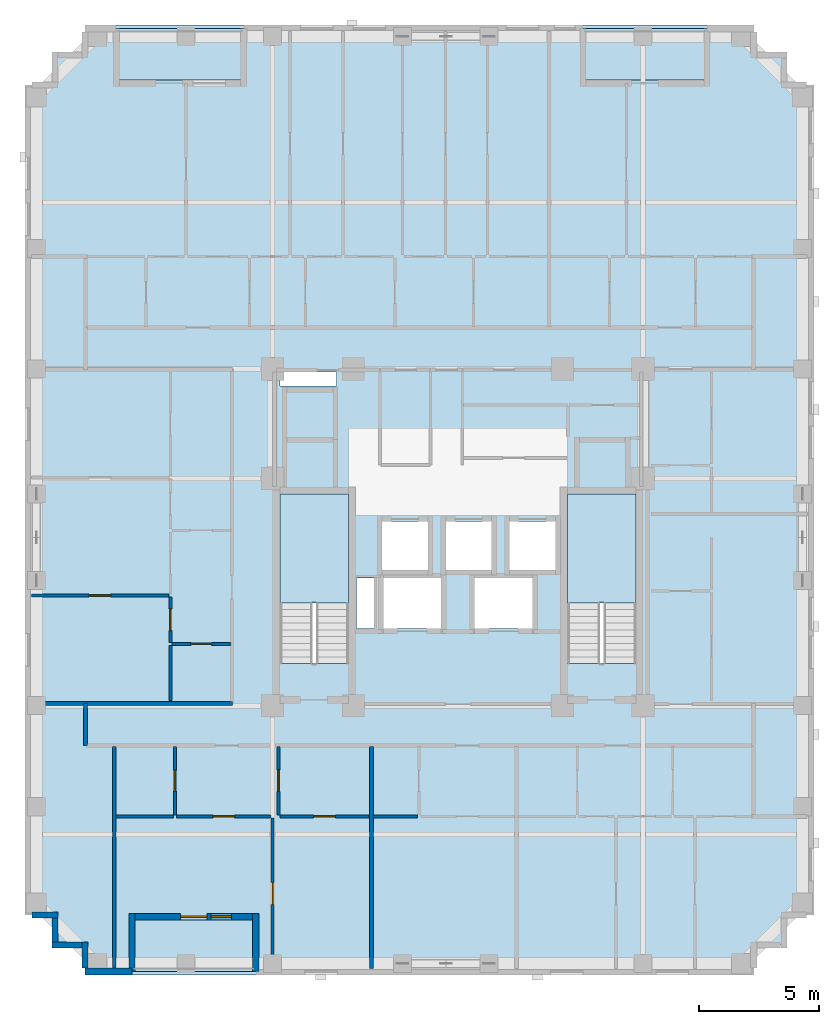
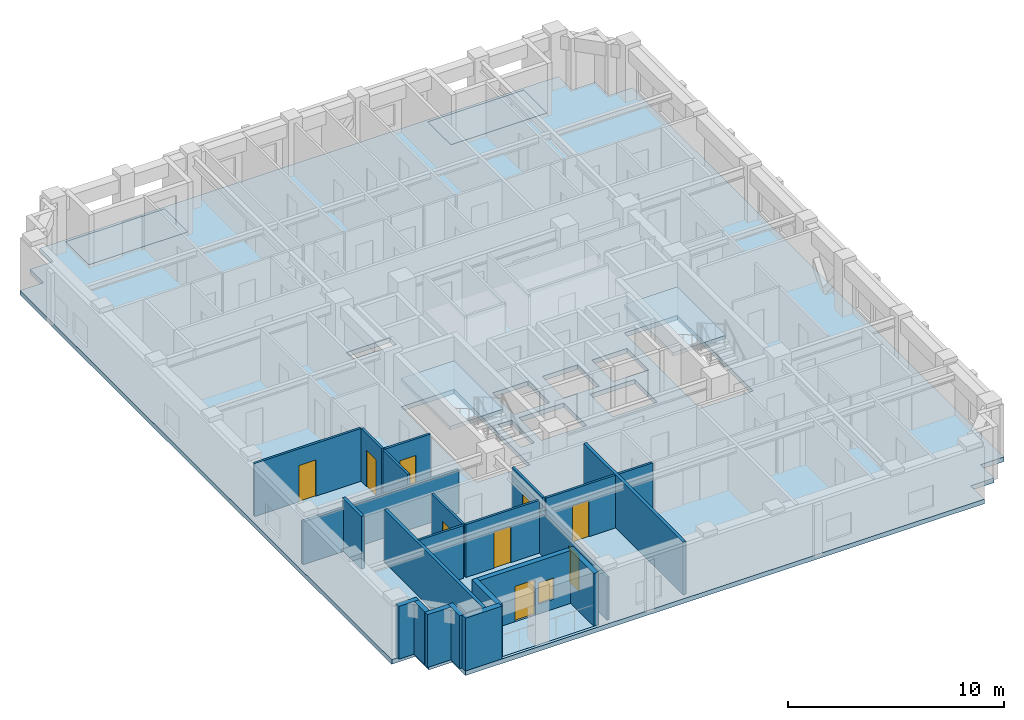
# One storey, part 2 of 11: 23 walls, 9 doors, 6 slabs, 1 window, 10 openings, 2 elements without a shape of their own.
"""IFC4 building model written with IfcOpenShell, lengths in metres."""

from ifc_helpers import new_model, si_unit, derived_unit, direction, frame, frame_2d, origin, place, context, subcontext, project, spatial, polyline, rectangle, outline, extrude, material, layer, layer_set, type_object, element, fill, aggregate, save


model = new_model("IFC4")

# Units and contexts
model_context = context("Model", 3, precision=1e-05, world=origin(), true_north=direction((0.0, 1.0)))
body_context = subcontext(model_context, "Body", "Model", "MODEL_VIEW")
ifc_project = project(units=[si_unit("LENGTHUNIT", "METRE"), si_unit("AREAUNIT", "SQUARE_METRE"), si_unit("VOLUMEUNIT", "CUBIC_METRE"), si_unit("PLANEANGLEUNIT", "RADIAN"), si_unit("MASSUNIT", "GRAM", prefix="KILO"), derived_unit("THERMALTRANSMITTANCEUNIT", [(si_unit("MASSUNIT", "GRAM", prefix="KILO"), 1), (si_unit("TIMEUNIT", "SECOND"), -3), (si_unit("THERMODYNAMICTEMPERATUREUNIT", "KELVIN"), -1)])], contexts=[model_context])

# Site, building, storey
site_placement = place(None, origin())
site = spatial("IfcSite", under=ifc_project, at=site_placement, CompositionType="ELEMENT")
building_placement = place(site_placement, origin())
building = spatial("IfcBuilding", under=site, at=building_placement, Name="Korrvale Station Residences", CompositionType="ELEMENT")
storey_placement = place(building_placement, frame((0.0, 0.0, 137.39990234375)))
storey = spatial("IfcBuildingStorey", under=building, at=storey_placement, Name="L39", CompositionType="ELEMENT", Elevation=137.39990234375)

# Slabs
ifc_material_1 = material(Name="Concrete C50/60", Category="concrete")
ifc_layer_1 = layer(ifc_material_1, 0.219970703125, Name="Concrete C50/60")
ifc_layer_set_1 = layer_set([ifc_layer_1], Name="Concrete C50/60")
slab_type_1 = type_object("IfcSlabType", Name="SLB-BAL-220", PredefinedType="FLOOR", material=ifc_layer_set_1)
slab_1_placement = place(storey_placement, frame((0.0, 0.0, -0.219970703125)))
element("IfcSlab", 1, at=slab_1_placement, inside=storey, type_object=slab_type_1, Name="L39 Recessed Loggia Balcony Slab BAL-L39-S1", PredefinedType="FLOOR", context=body_context, shape_type="SweptSolid", body=[
    extrude(outline(polyline([(11.949951171875, 3.949951171875), (17.10009765625, 3.949951171875), (17.10009765625, 6.10009765625), (11.949951171875, 6.10009765625), (11.949951171875, 3.949951171875)])), origin(), (0.0, 0.0, 1.0), 0.219970703125),
])
slab_2_placement = place(storey_placement, frame((0.0, 0.0, -0.219970703125)))
element("IfcSlab", 2, at=slab_2_placement, inside=storey, type_object=slab_type_1, Name="L39 Recessed Loggia Balcony Slab BAL-L39-N1", PredefinedType="FLOOR", context=body_context, shape_type="SweptSolid", body=[
    extrude(outline(polyline([(30.699951171875, 41.0), (35.85009765625, 41.0), (35.85009765625, 43.14990234375), (30.699951171875, 43.14990234375), (30.699951171875, 41.0)])), origin(), (0.0, 0.0, 1.0), 0.219970703125),
])
slab_3_placement = place(storey_placement, frame((0.0, 0.0, -0.219970703125)))
element("IfcSlab", 3, at=slab_3_placement, inside=storey, type_object=slab_type_1, Name="L39 Recessed Loggia Balcony Slab BAL-L39-N2", PredefinedType="FLOOR", context=body_context, shape_type="SweptSolid", body=[
    extrude(outline(polyline([(11.300048828125, 41.0), (16.60009765625, 41.0), (16.60009765625, 43.14990234375), (11.300048828125, 43.14990234375), (11.300048828125, 41.0)])), origin(), (0.0, 0.0, 1.0), 0.219970703125),
])
ifc_layer_2 = layer(ifc_material_1, 0.260009765625, Name="Concrete C50/60")
ifc_layer_set_2 = layer_set([ifc_layer_2], Name="Concrete C50/60")
slab_type_2 = type_object("IfcSlabType", Name="SLB-FLR-260", PredefinedType="FLOOR", material=ifc_layer_set_2)
slab_4_placement = place(storey_placement, frame((0.0, 0.0, -0.260009765625)))
element("IfcSlab", 4, at=slab_4_placement, inside=storey, type_object=slab_type_2, Name="L39 Suspended Structural Floor Slab", PredefinedType="FLOOR", context=body_context, shape_type="SweptSolid", body=[
    extrude(outline(polyline([(10.0, 3.800048828125), (37.800048828125, 3.800048828125), (37.800048828125, 5.050048828125), (39.050048828125, 5.050048828125), (39.050048828125, 6.300048828125), (40.300048828125, 6.300048828125), (40.300048828125, 40.800048828125), (39.050048828125, 40.800048828125), (39.050048828125, 42.050048828125), (37.800048828125, 42.050048828125), (37.800048828125, 43.300048828125), (10.0, 43.300048828125), (10.0, 42.050048828125), (8.75, 42.050048828125), (8.75, 40.800048828125), (7.5, 40.800048828125), (7.5, 6.300048828125), (8.75, 6.300048828125), (8.75, 5.050048828125), (10.0, 5.050048828125), (10.0, 3.800048828125)]), holes=[polyline([(20.949951171875, 16.751953125), (20.949951171875, 23.800048828125), (18.10009765625, 23.800048828125), (18.10009765625, 16.751953125), (20.949951171875, 16.751953125)]), polyline([(32.89990234375, 16.751953125), (32.89990234375, 23.800048828125), (30.050048828125, 23.800048828125), (30.050048828125, 16.751953125), (32.89990234375, 16.751953125)]), polyline([(22.35009765625, 20.64990234375), (24.25, 20.64990234375), (24.25, 22.64990234375), (22.35009765625, 22.64990234375), (22.35009765625, 20.64990234375)]), polyline([(25.0, 20.64990234375), (26.89990234375, 20.64990234375), (26.89990234375, 22.64990234375), (25.0, 22.64990234375), (25.0, 20.64990234375)]), polyline([(27.64990234375, 20.64990234375), (29.550048828125, 20.64990234375), (29.550048828125, 22.64990234375), (27.64990234375, 22.64990234375), (27.64990234375, 20.64990234375)]), polyline([(22.39990234375, 18.199951171875), (24.800048828125, 18.199951171875), (24.800048828125, 20.300048828125), (22.39990234375, 20.300048828125), (22.39990234375, 18.199951171875)]), polyline([(26.199951171875, 18.199951171875), (28.60009765625, 18.199951171875), (28.60009765625, 20.300048828125), (26.199951171875, 20.300048828125), (26.199951171875, 18.199951171875)]), polyline([(18.10009765625, 28.280029296875), (20.449951171875, 28.280029296875), (20.449951171875, 28.8798828125), (18.10009765625, 28.8798828125), (18.10009765625, 28.280029296875)]), polyline([(21.280029296875, 18.199951171875), (22.02001953125, 18.199951171875), (22.02001953125, 20.300048828125), (21.280029296875, 20.300048828125), (21.280029296875, 18.199951171875)]), polyline([(11.949951171875, 3.949951171875), (17.10009765625, 3.949951171875), (17.10009765625, 6.10009765625), (11.949951171875, 6.10009765625), (11.949951171875, 3.949951171875)]), polyline([(30.699951171875, 41.0), (35.85009765625, 41.0), (35.85009765625, 43.14990234375), (30.699951171875, 43.14990234375), (30.699951171875, 41.0)]), polyline([(11.300048828125, 41.0), (16.60009765625, 41.0), (16.60009765625, 43.14990234375), (11.300048828125, 43.14990234375), (11.300048828125, 41.0)])]), origin(), (0.0, 0.0, 1.0), 0.260009765625),
])

# Stair, slab
stair_type = type_object("IfcStairType", Name="STR-DL-1350-20R-1625", PredefinedType="HALF_TURN_STAIR", material=ifc_material_1)
stair_1_placement = place(storey_placement, origin())
stair_1 = element("IfcStair", 5, at=stair_1_placement, inside=storey, type_object=stair_type, Name="L39 Exit Stair 1", PredefinedType="HALF_TURN_STAIR")
ifc_layer_3 = layer(ifc_material_1, 0.199951171875, Name="Concrete C50/60")
ifc_layer_set_3 = layer_set([ifc_layer_3], Name="Concrete C50/60")
slab_type_3 = type_object("IfcSlabType", Name="SLB-LND-200", PredefinedType="LANDING", material=ifc_layer_set_3)
slab_5_placement = place(storey_placement, frame((0.0, 0.0, 1.425048828125)))
slab_5 = element("IfcSlab", 6, at=slab_5_placement, type_object=slab_type_3, Name="ST-1 landing 1", PredefinedType="LANDING", context=body_context, shape_type="SweptSolid", body=[
    extrude(outline(polyline([(20.949951171875, 19.27001953125), (20.949951171875, 23.800048828125), (18.10009765625, 23.800048828125), (18.10009765625, 19.27001953125), (20.949951171875, 19.27001953125)])), origin(), (0.0, 0.0, 1.0), 0.199951171875),
])
aggregate(stair_1, [slab_5])

stair_2_placement = place(storey_placement, origin())
stair_2 = element("IfcStair", 7, at=stair_2_placement, inside=storey, type_object=stair_type, Name="L39 Exit Stair 2", PredefinedType="HALF_TURN_STAIR")
slab_6_placement = place(storey_placement, frame((0.0, 0.0, 1.425048828125)))
slab_6 = element("IfcSlab", 8, at=slab_6_placement, type_object=slab_type_3, Name="ST-2 landing 1", PredefinedType="LANDING", context=body_context, shape_type="SweptSolid", body=[
    extrude(outline(polyline([(32.89990234375, 19.27001953125), (32.89990234375, 23.800048828125), (30.050048828125, 23.800048828125), (30.050048828125, 19.27001953125), (32.89990234375, 19.27001953125)])), origin(), (0.0, 0.0, 1.0), 0.199951171875),
])
aggregate(stair_2, [slab_6])

# Wall
ifc_material_2 = material(Name="Precast concrete C45/55", Category="concrete")
ifc_layer_4 = layer(ifc_material_2, 0.260009765625, Name="Precast concrete C45/55")
ifc_layer_set_4 = layer_set([ifc_layer_4], Name="Precast concrete C45/55")
wall_type_1 = type_object("IfcWallType", Name="WAL-EXT-LOG260", PredefinedType="SOLIDWALL", material=ifc_layer_set_4)
wall_1_placement = place(storey_placement, frame((17.10009765625, 3.9599609375, 0.0), z_axis=(0.0, 0.0, 1.0), x_axis=(0.0, 1.0, 0.0)))
element("IfcWall", 9, at=wall_1_placement, inside=storey, type_object=wall_type_1, Name="L39 Recessed Loggia Wall BAL-L39-S1-L", PredefinedType="SOLIDWALL", context=body_context, shape_type="SweptSolid", body=[
    extrude(rectangle(XDim=2.400146484375, YDim=0.260009765625, at=frame_2d((1.2001953125, 0.0))), origin(), (0.0, 0.0, 1.0), 2.989990234375),
])

# Wall, openings, door, window
wall_2_placement = place(storey_placement, frame((16.966064453125, 6.22998046875, 0.0), z_axis=(0.0, 0.0, 1.0), x_axis=(-1.0, 0.0, 0.0)))
wall_2 = element("IfcWall", 10, at=wall_2_placement, inside=storey, type_object=wall_type_1, Name="L39 Recessed Loggia Wall BAL-L39-S1-B", PredefinedType="SOLIDWALL", context=body_context, shape_type="SweptSolid", body=[
    extrude(rectangle(XDim=4.882080078125, YDim=0.260009765625, at=frame_2d((2.44091796875, 0.0))), origin(), (0.0, 0.0, 1.0), 2.989990234375),
])
opening_1_placement = place(wall_2_placement, frame((1.89111328125, 0.0, 0.0)))
opening_1 = element("IfcOpeningElement", 11, at=opening_1_placement, cuts=wall_2, Name="Opening BD-01", PredefinedType="OPENING", context=body_context, shape_type="SweptSolid", body=[
    extrude(rectangle(XDim=1.10009765625, YDim=2.0, at=frame_2d((0.550048828125, 1.0))), frame((0.0, 0.14013671875, 0.0), z_axis=(0.0, -1.0, 0.0), x_axis=(1.0, 0.0, 0.0)), (0.0, 0.0, 1.0), 0.280029296875),
])
opening_2_placement = place(wall_2_placement, frame((0.881103515625, 0.0, 0.550048828125)))
opening_2 = element("IfcOpeningElement", 12, at=opening_2_placement, cuts=wall_2, Name="Opening W-11", PredefinedType="OPENING", context=body_context, shape_type="SweptSolid", body=[
    extrude(rectangle(XDim=0.85009765625, YDim=1.199951171875, at=frame_2d((0.425048828125, 0.60009765625))), frame((0.0, 0.14013671875, 0.0), z_axis=(0.0, -1.0, 0.0), x_axis=(1.0, 0.0, 0.0)), (0.0, 0.0, 1.0), 0.280029296875),
])
ifc_material_3 = material(Name="Exterior thermally broken aluminium glazed balcony door", Category="aluminium")
door_type_1 = type_object("IfcDoorType", Name="DR-EXT-BAL", OperationType="NOTDEFINED", PredefinedType="DOOR", material=ifc_material_3)
door_1_placement = place(opening_1_placement, origin())
door_1 = element("IfcDoor", 13, at=door_1_placement, inside=storey, type_object=door_type_1, Name="L39 Loggia Balcony Door BAL-L39-S1", OperationType="SINGLE_SWING_RIGHT", OverallHeight=2.0, OverallWidth=1.10009765625, PredefinedType="DOOR", context=body_context, shape_type="SweptSolid", body=[
    extrude(rectangle(XDim=1.10009765625, YDim=2.0, at=frame_2d((0.550048828125, 1.0))), frame((0.0, 0.02490234375, 0.0), z_axis=(0.0, -1.0, 0.0), x_axis=(1.0, 0.0, 0.0)), (0.0, 0.0, 1.0), 0.050048828125),
])
fill(opening_1, door_1)
ifc_material_4 = material(Name="Thermally broken aluminium frame with triple low-e glazing", Category="aluminium")
window_type = type_object("IfcWindowType", Name="WIN-W11", PartitioningType="SINGLE_PANEL", PredefinedType="WINDOW", material=ifc_material_4)
window_placement = place(opening_2_placement, origin())
window = element("IfcWindow", 14, at=window_placement, inside=storey, type_object=window_type, Name="L39 Punched Window 01", OverallHeight=1.199951171875, OverallWidth=0.85009765625, PartitioningType="SINGLE_PANEL", PredefinedType="WINDOW", context=body_context, shape_type="SweptSolid", body=[
    extrude(rectangle(XDim=0.85009765625, YDim=1.199951171875, at=frame_2d((0.425048828125, 0.60009765625))), frame((0.0, 0.030029296875, 0.0), z_axis=(0.0, -1.0, 0.0), x_axis=(1.0, 0.0, 0.0)), (0.0, 0.0, 1.0), 0.06005859375),
])
fill(opening_2, window)

# Walls
wall_3_placement = place(storey_placement, frame((11.949951171875, 6.360107421875, 0.0), z_axis=(0.0, 0.0, 1.0), x_axis=(0.0, -1.0, 0.0)))
element("IfcWall", 15, at=wall_3_placement, inside=storey, type_object=wall_type_1, Name="L39 Recessed Loggia Wall BAL-L39-S1-R", PredefinedType="SOLIDWALL", context=body_context, shape_type="SweptSolid", body=[
    extrude(rectangle(XDim=2.400146484375, YDim=0.260009765625, at=frame_2d((1.2001953125, 0.0))), origin(), (0.0, 0.0, 1.0), 2.989990234375),
])
wall_4_placement = place(storey_placement, frame((10.0, 4.10205078125, 0.0), z_axis=(0.0, 0.0, 1.0), x_axis=(0.0, 1.0, 0.0)))
element("IfcWall", 16, at=wall_4_placement, inside=storey, type_object=wall_type_1, Name="L39 Serrated Corner Precast Step SW-1", PredefinedType="SOLIDWALL", context=body_context, shape_type="SweptSolid", body=[
    extrude(rectangle(XDim=1.077880859375, YDim=0.260009765625, at=frame_2d((0.5390625, 0.0))), origin(), (0.0, 0.0, 1.0), 2.989990234375),
])
wall_5_placement = place(storey_placement, frame((9.867919921875, 5.050048828125, 0.0), z_axis=(0.0, 0.0, 1.0), x_axis=(-1.0, 0.0, 0.0)))
element("IfcWall", 17, at=wall_5_placement, inside=storey, type_object=wall_type_1, Name="L39 Serrated Corner Precast Step SW-2", PredefinedType="SOLIDWALL", context=body_context, shape_type="SweptSolid", body=[
    extrude(rectangle(XDim=1.247802734375, YDim=0.260009765625, at=frame_2d((0.6240234375, 0.0))), origin(), (0.0, 0.0, 1.0), 2.989990234375),
])
wall_6_placement = place(storey_placement, frame((8.75, 5.181884765625, 0.0), z_axis=(0.0, 0.0, 1.0), x_axis=(0.0, 1.0, 0.0)))
element("IfcWall", 18, at=wall_6_placement, inside=storey, type_object=wall_type_1, Name="L39 Serrated Corner Precast Step SW-3", PredefinedType="SOLIDWALL", context=body_context, shape_type="SweptSolid", body=[
    extrude(rectangle(XDim=0.986083984375, YDim=0.260009765625, at=frame_2d((0.4931640625, 0.0))), origin(), (0.0, 0.0, 1.0), 2.989990234375),
])
wall_7_placement = place(storey_placement, frame((8.8798828125, 6.300048828125, 0.0), z_axis=(0.0, 0.0, 1.0), x_axis=(-1.0, 0.0, 0.0)))
element("IfcWall", 19, at=wall_7_placement, inside=storey, type_object=wall_type_1, Name="L39 Serrated Corner Precast Step SW-4", PredefinedType="SOLIDWALL", context=body_context, shape_type="SweptSolid", body=[
    extrude(rectangle(XDim=1.077880859375, YDim=0.260009765625, at=frame_2d((0.5390625, 0.0))), origin(), (0.0, 0.0, 1.0), 2.989990234375),
])
ifc_layer_5 = layer(ifc_material_2, 0.300048828125, Name="Precast concrete C45/55")
ifc_layer_set_5 = layer_set([ifc_layer_5], Name="Precast concrete C45/55")
wall_type_2 = type_object("IfcWallType", Name="WAL-EXT-PC300", PredefinedType="SOLIDWALL", material=ifc_layer_set_5)
wall_8_placement = place(storey_placement, frame((11.949951171875, 3.949951171875, 0.0), z_axis=(0.0, 0.0, 1.0), x_axis=(-1.0, 0.0, 0.0)))
element("IfcWall", 20, at=wall_8_placement, inside=storey, type_object=wall_type_2, Name="L39 South Exterior Precast Wall 2", PredefinedType="SOLIDWALL", context=body_context, shape_type="SweptSolid", body=[
    extrude(rectangle(XDim=1.949951171875, YDim=0.300048828125, at=frame_2d((0.97509765625, 0.0))), origin(), (0.0, 0.0, 1.0), 2.989990234375),
])

# Wall, opening, door
ifc_material_5 = material(Name="Acoustic steel-stud gypsum board partition", Category="steel")
ifc_layer_6 = layer(ifc_material_5, 0.1201171875, Name="Acoustic steel-stud gypsum board partition")
ifc_layer_set_6 = layer_set([ifc_layer_6], Name="Acoustic steel-stud gypsum board partition")
wall_type_3 = type_object("IfcWallType", Name="WAL-PART-125", PredefinedType="PARTITIONING", material=ifc_layer_set_6)
wall_9_placement = place(storey_placement, frame((13.739990234375, 10.4599609375, 0.0), z_axis=(0.0, 0.0, 1.0), x_axis=(0.0, 1.0, 0.0)))
wall_9 = element("IfcWall", 21, at=wall_9_placement, inside=storey, type_object=wall_type_3, Name="L39 Suite Partition U01-V01", PredefinedType="PARTITIONING", context=body_context, shape_type="SweptSolid", body=[
    extrude(rectangle(XDim=2.85009765625, YDim=0.1201171875, at=frame_2d((1.425048828125, 0.0))), origin(), (0.0, 0.0, 1.0), 2.989990234375),
])
opening_3_placement = place(wall_9_placement, frame((0.9951171875, 0.0, 0.0)))
opening_3 = element("IfcOpeningElement", 22, at=opening_3_placement, cuts=wall_9, Name="Opening DB-860", PredefinedType="OPENING", context=body_context, shape_type="SweptSolid", body=[
    extrude(rectangle(XDim=0.860107421875, YDim=2.050048828125, at=frame_2d((0.43017578125, 1.02490234375))), frame((0.0, 0.070068359375, 0.0), z_axis=(0.0, -1.0, 0.0), x_axis=(1.0, 0.0, 0.0)), (0.0, 0.0, 1.0), 0.14013671875),
])
ifc_material_6 = material(Name="Moisture-resistant solid-core bathroom door", Category="timber")
door_type_2 = type_object("IfcDoorType", Name="DR-BATH-860", OperationType="NOTDEFINED", PredefinedType="DOOR", material=ifc_material_6)
door_2_placement = place(opening_3_placement, origin())
door_2 = element("IfcDoor", 23, at=door_2_placement, inside=storey, type_object=door_type_2, Name="L39 Apartment 1BR L39-U01 Bathroom Door", OperationType="SINGLE_SWING_LEFT", OverallHeight=2.050048828125, OverallWidth=0.860107421875, PredefinedType="DOOR", context=body_context, shape_type="SweptSolid", body=[
    extrude(rectangle(XDim=0.860107421875, YDim=2.050048828125, at=frame_2d((0.43017578125, 1.02490234375))), frame((0.0, 0.02490234375, 0.0), z_axis=(0.0, -1.0, 0.0), x_axis=(1.0, 0.0, 0.0)), (0.0, 0.0, 1.0), 0.050048828125),
])
fill(opening_3, door_2)

# Wall
wall_10_placement = place(storey_placement, frame((11.280029296875, 10.39990234375, 0.0), z_axis=(0.0, 0.0, 1.0), x_axis=(1.0, 0.0, 0.0)))
element("IfcWall", 24, at=wall_10_placement, inside=storey, type_object=wall_type_3, Name="L39 Suite Partition U01-H03", PredefinedType="PARTITIONING", context=body_context, shape_type="SweptSolid", body=[
    extrude(rectangle(XDim=2.39990234375, YDim=0.1201171875, at=frame_2d((1.199951171875, 0.0))), origin(), (0.0, 0.0, 1.0), 2.989990234375),
])

# Wall, opening, door
wall_11_placement = place(storey_placement, frame((18.0400390625, 10.4599609375, 0.0), z_axis=(0.0, 0.0, 1.0), x_axis=(0.0, 1.0, 0.0)))
wall_11 = element("IfcWall", 25, at=wall_11_placement, inside=storey, type_object=wall_type_3, Name="L39 Suite Partition U01-V12", PredefinedType="PARTITIONING", context=body_context, shape_type="SweptSolid", body=[
    extrude(rectangle(XDim=2.85009765625, YDim=0.1201171875, at=frame_2d((1.425048828125, 0.0))), origin(), (0.0, 0.0, 1.0), 2.989990234375),
])
opening_4_placement = place(wall_11_placement, frame((0.97509765625, 0.0, 0.0)))
opening_4 = element("IfcOpeningElement", 26, at=opening_4_placement, cuts=wall_11, Name="Opening DI-900", PredefinedType="OPENING", context=body_context, shape_type="SweptSolid", body=[
    extrude(rectangle(XDim=0.89990234375, YDim=2.050048828125, at=frame_2d((0.449951171875, 1.02490234375))), frame((0.0, 0.070068359375, 0.0), z_axis=(0.0, -1.0, 0.0), x_axis=(1.0, 0.0, 0.0)), (0.0, 0.0, 1.0), 0.14013671875),
])
ifc_material_7 = material(Name="Painted solid-core timber interior room door", Category="wood")
door_type_3 = type_object("IfcDoorType", Name="DR-INT-900", OperationType="NOTDEFINED", PredefinedType="DOOR", material=ifc_material_7)
door_3_placement = place(opening_4_placement, origin())
door_3 = element("IfcDoor", 27, at=door_3_placement, inside=storey, type_object=door_type_3, Name="L39 Apartment 1BR L39-U01 Kitchen Door", OperationType="SINGLE_SWING_RIGHT", OverallHeight=2.050048828125, OverallWidth=0.89990234375, PredefinedType="DOOR", context=body_context, shape_type="SweptSolid", body=[
    extrude(rectangle(XDim=0.89990234375, YDim=2.050048828125, at=frame_2d((0.449951171875, 1.02490234375))), frame((0.0, 0.02490234375, 0.0), z_axis=(0.0, -1.0, 0.0), x_axis=(1.0, 0.0, 0.0)), (0.0, 0.0, 1.0), 0.050048828125),
])
fill(opening_4, door_3)

wall_12_placement = place(storey_placement, frame((13.800048828125, 10.39990234375, 0.0), z_axis=(0.0, 0.0, 1.0), x_axis=(1.0, 0.0, 0.0)))
wall_12 = element("IfcWall", 28, at=wall_12_placement, inside=storey, type_object=wall_type_3, Name="L39 Suite Partition U01-H13", PredefinedType="PARTITIONING", context=body_context, shape_type="SweptSolid", body=[
    extrude(rectangle(XDim=3.93994140625, YDim=0.1201171875, at=frame_2d((1.969970703125, 0.0))), origin(), (0.0, 0.0, 1.0), 2.989990234375),
])
opening_5_placement = place(wall_12_placement, frame((1.52001953125, 0.0, 0.0)))
opening_5 = element("IfcOpeningElement", 29, at=opening_5_placement, cuts=wall_12, Name="Opening DI-900", PredefinedType="OPENING", context=body_context, shape_type="SweptSolid", body=[
    extrude(rectangle(XDim=0.89990234375, YDim=2.050048828125, at=frame_2d((0.449951171875, 1.02490234375))), frame((0.0, 0.070068359375, 0.0), z_axis=(0.0, -1.0, 0.0), x_axis=(1.0, 0.0, 0.0)), (0.0, 0.0, 1.0), 0.14013671875),
])
door_4_placement = place(opening_5_placement, origin())
door_4 = element("IfcDoor", 30, at=door_4_placement, inside=storey, type_object=door_type_3, Name="L39 Apartment 1BR L39-U01 Kitchen Door", OperationType="SINGLE_SWING_LEFT", OverallHeight=2.050048828125, OverallWidth=0.89990234375, PredefinedType="DOOR", context=body_context, shape_type="SweptSolid", body=[
    extrude(rectangle(XDim=0.89990234375, YDim=2.050048828125, at=frame_2d((0.449951171875, 1.02490234375))), frame((0.0, 0.02490234375, 0.0), z_axis=(0.0, -1.0, 0.0), x_axis=(1.0, 0.0, 0.0)), (0.0, 0.0, 1.0), 0.050048828125),
])
fill(opening_5, door_4)

wall_13_placement = place(storey_placement, frame((18.10009765625, 10.39990234375, 0.0), z_axis=(0.0, 0.0, 1.0), x_axis=(1.0, 0.0, 0.0)))
wall_13 = element("IfcWall", 31, at=wall_13_placement, inside=storey, type_object=wall_type_3, Name="L39 Suite Partition U01-H24", PredefinedType="PARTITIONING", context=body_context, shape_type="SweptSolid", body=[
    extrude(rectangle(XDim=3.7080078125, YDim=0.1201171875, at=frame_2d((1.85400390625, 0.0))), origin(), (0.0, 0.0, 1.0), 2.989990234375),
])
opening_6_placement = place(wall_13_placement, frame((1.404052734375, 0.0, 0.0)))
opening_6 = element("IfcOpeningElement", 32, at=opening_6_placement, cuts=wall_13, Name="Opening DI-900", PredefinedType="OPENING", context=body_context, shape_type="SweptSolid", body=[
    extrude(rectangle(XDim=0.89990234375, YDim=2.050048828125, at=frame_2d((0.449951171875, 1.02490234375))), frame((0.0, 0.070068359375, 0.0), z_axis=(0.0, -1.0, 0.0), x_axis=(1.0, 0.0, 0.0)), (0.0, 0.0, 1.0), 0.14013671875),
])
door_5_placement = place(opening_6_placement, origin())
door_5 = element("IfcDoor", 33, at=door_5_placement, inside=storey, type_object=door_type_3, Name="L39 Apartment 1BR L39-U01 Wardrobe Storage Room Door", OperationType="SINGLE_SWING_RIGHT", OverallHeight=2.050048828125, OverallWidth=0.89990234375, PredefinedType="DOOR", context=body_context, shape_type="SweptSolid", body=[
    extrude(rectangle(XDim=0.89990234375, YDim=2.050048828125, at=frame_2d((0.449951171875, 1.02490234375))), frame((0.0, 0.02490234375, 0.0), z_axis=(0.0, -1.0, 0.0), x_axis=(1.0, 0.0, 0.0)), (0.0, 0.0, 1.0), 0.050048828125),
])
fill(opening_6, door_5)

wall_14_placement = place(storey_placement, frame((17.800048828125, 4.080078125, 0.0), z_axis=(0.0, 0.0, 1.0), x_axis=(0.0, 1.0, 0.0)))
wall_14 = element("IfcWall", 34, at=wall_14_placement, inside=storey, type_object=wall_type_3, Name="L39 Suite Partition U01-V34", PredefinedType="PARTITIONING", context=body_context, shape_type="SweptSolid", body=[
    extrude(rectangle(XDim=6.260009765625, YDim=0.1201171875, at=frame_2d((3.1298828125, 0.0))), origin(), (0.0, 0.0, 1.0), 2.426025390625),
])
opening_7_placement = place(wall_14_placement, frame((2.6650390625, 0.0, 0.0)))
opening_7 = element("IfcOpeningElement", 35, at=opening_7_placement, cuts=wall_14, Name="Opening DI-900", PredefinedType="OPENING", context=body_context, shape_type="SweptSolid", body=[
    extrude(rectangle(XDim=0.89990234375, YDim=2.050048828125, at=frame_2d((0.449951171875, 1.02490234375))), frame((0.0, 0.070068359375, 0.0), z_axis=(0.0, -1.0, 0.0), x_axis=(1.0, 0.0, 0.0)), (0.0, 0.0, 1.0), 0.14013671875),
])
door_6_placement = place(opening_7_placement, origin())
door_6 = element("IfcDoor", 36, at=door_6_placement, inside=storey, type_object=door_type_3, Name="L39 Apartment 1BR L39-U01 Living and Dining Room Door", OperationType="SINGLE_SWING_LEFT", OverallHeight=2.050048828125, OverallWidth=0.89990234375, PredefinedType="DOOR", context=body_context, shape_type="SweptSolid", body=[
    extrude(rectangle(XDim=0.89990234375, YDim=2.050048828125, at=frame_2d((0.449951171875, 1.02490234375))), frame((0.0, 0.02490234375, 0.0), z_axis=(0.0, -1.0, 0.0), x_axis=(1.0, 0.0, 0.0)), (0.0, 0.0, 1.0), 0.050048828125),
])
fill(opening_7, door_6)

# Wall
wall_15_placement = place(storey_placement, frame((21.968017578125, 10.39990234375, 0.0), z_axis=(0.0, 0.0, 1.0), x_axis=(1.0, 0.0, 0.0)))
element("IfcWall", 37, at=wall_15_placement, inside=storey, type_object=wall_type_3, Name="L39 Suite Partition U02-H02", PredefinedType="PARTITIONING", context=body_context, shape_type="SweptSolid", body=[
    extrude(rectangle(XDim=1.85009765625, YDim=0.1201171875, at=frame_2d((0.925048828125, 0.0))), origin(), (0.0, 0.0, 1.0), 2.989990234375),
])

# Wall, opening, door
wall_16_placement = place(storey_placement, frame((13.610107421875, 17.570068359375, 0.0), z_axis=(0.0, 0.0, 1.0), x_axis=(1.0, 0.0, 0.0)))
wall_16 = element("IfcWall", 38, at=wall_16_placement, inside=storey, type_object=wall_type_3, Name="L39 Suite Partition U06-H12", PredefinedType="PARTITIONING", context=body_context, shape_type="SweptSolid", body=[
    extrude(rectangle(XDim=2.449951171875, YDim=0.1201171875, at=frame_2d((1.22509765625, 0.0))), origin(), (0.0, 0.0, 1.0), 2.989990234375),
])
opening_8_placement = place(wall_16_placement, frame((0.794921875, 0.0, 0.0)))
opening_8 = element("IfcOpeningElement", 39, at=opening_8_placement, cuts=wall_16, Name="Opening DB-860", PredefinedType="OPENING", context=body_context, shape_type="SweptSolid", body=[
    extrude(rectangle(XDim=0.860107421875, YDim=2.050048828125, at=frame_2d((0.43017578125, 1.02490234375))), frame((0.0, 0.070068359375, 0.0), z_axis=(0.0, -1.0, 0.0), x_axis=(1.0, 0.0, 0.0)), (0.0, 0.0, 1.0), 0.14013671875),
])
door_7_placement = place(opening_8_placement, origin())
door_7 = element("IfcDoor", 40, at=door_7_placement, inside=storey, type_object=door_type_2, Name="L39 Apartment 2BR L39-U06 Bathroom Door", OperationType="SINGLE_SWING_LEFT", OverallHeight=2.050048828125, OverallWidth=0.860107421875, PredefinedType="DOOR", context=body_context, shape_type="SweptSolid", body=[
    extrude(rectangle(XDim=0.860107421875, YDim=2.050048828125, at=frame_2d((0.43017578125, 1.02490234375))), frame((0.0, 0.02490234375, 0.0), z_axis=(0.0, -1.0, 0.0), x_axis=(1.0, 0.0, 0.0)), (0.0, 0.0, 1.0), 0.050048828125),
])
fill(opening_8, door_7)

# Wall
wall_17_placement = place(storey_placement, frame((13.550048828125, 15.2099609375, 0.0), z_axis=(0.0, 0.0, 1.0), x_axis=(0.0, 1.0, 0.0)))
element("IfcWall", 41, at=wall_17_placement, inside=storey, type_object=wall_type_3, Name="L39 Suite Partition U06-V13", PredefinedType="PARTITIONING", context=body_context, shape_type="SweptSolid", body=[
    extrude(rectangle(XDim=2.300048828125, YDim=0.1201171875, at=frame_2d((1.14990234375, 0.0))), origin(), (0.0, 0.0, 1.0), 2.989990234375),
])

# Wall, opening, door
wall_18_placement = place(storey_placement, frame((13.550048828125, 17.6298828125, 0.0), z_axis=(0.0, 0.0, 1.0), x_axis=(0.0, 1.0, 0.0)))
wall_18 = element("IfcWall", 42, at=wall_18_placement, inside=storey, type_object=wall_type_3, Name="L39 Suite Partition U06-V23", PredefinedType="PARTITIONING", context=body_context, shape_type="SweptSolid", body=[
    extrude(rectangle(XDim=1.88818359375, YDim=0.1201171875, at=frame_2d((0.944091796875, 0.0))), origin(), (0.0, 0.0, 1.0), 2.989990234375),
])
opening_9_placement = place(wall_18_placement, frame((0.493896484375, 0.0, 0.0)))
opening_9 = element("IfcOpeningElement", 43, at=opening_9_placement, cuts=wall_18, Name="Opening DI-900", PredefinedType="OPENING", context=body_context, shape_type="SweptSolid", body=[
    extrude(rectangle(XDim=0.89990234375, YDim=2.050048828125, at=frame_2d((0.449951171875, 1.02490234375))), frame((0.0, 0.070068359375, 0.0), z_axis=(0.0, -1.0, 0.0), x_axis=(1.0, 0.0, 0.0)), (0.0, 0.0, 1.0), 0.14013671875),
])
door_8_placement = place(opening_9_placement, origin())
door_8 = element("IfcDoor", 44, at=door_8_placement, inside=storey, type_object=door_type_3, Name="L39 Apartment 2BR L39-U06 Kitchen Door", OperationType="SINGLE_SWING_RIGHT", OverallHeight=2.050048828125, OverallWidth=0.89990234375, PredefinedType="DOOR", context=body_context, shape_type="SweptSolid", body=[
    extrude(rectangle(XDim=0.89990234375, YDim=2.050048828125, at=frame_2d((0.449951171875, 1.02490234375))), frame((0.0, 0.02490234375, 0.0), z_axis=(0.0, -1.0, 0.0), x_axis=(1.0, 0.0, 0.0)), (0.0, 0.0, 1.0), 0.050048828125),
])
fill(opening_9, door_8)

wall_19_placement = place(storey_placement, frame((7.780029296875, 19.577880859375, 0.0), z_axis=(0.0, 0.0, 1.0), x_axis=(1.0, 0.0, 0.0)))
wall_19 = element("IfcWall", 45, at=wall_19_placement, inside=storey, type_object=wall_type_3, Name="L39 Suite Partition U06-H34", PredefinedType="PARTITIONING", context=body_context, shape_type="SweptSolid", body=[
    extrude(rectangle(XDim=5.7099609375, YDim=0.1201171875, at=frame_2d((2.85498046875, 0.0))), origin(), (0.0, 0.0, 1.0), 2.989990234375),
])
opening_10_placement = place(wall_19_placement, frame((2.389892578125, 0.0, 0.0)))
opening_10 = element("IfcOpeningElement", 46, at=opening_10_placement, cuts=wall_19, Name="Opening DI-900", PredefinedType="OPENING", context=body_context, shape_type="SweptSolid", body=[
    extrude(rectangle(XDim=0.89990234375, YDim=2.050048828125, at=frame_2d((0.449951171875, 1.02490234375))), frame((0.0, 0.070068359375, 0.0), z_axis=(0.0, -1.0, 0.0), x_axis=(1.0, 0.0, 0.0)), (0.0, 0.0, 1.0), 0.14013671875),
])
door_9_placement = place(opening_10_placement, origin())
door_9 = element("IfcDoor", 47, at=door_9_placement, inside=storey, type_object=door_type_3, Name="L39 Apartment 2BR L39-U06 Bedroom 1 Door", OperationType="SINGLE_SWING_RIGHT", OverallHeight=2.050048828125, OverallWidth=0.89990234375, PredefinedType="DOOR", context=body_context, shape_type="SweptSolid", body=[
    extrude(rectangle(XDim=0.89990234375, YDim=2.050048828125, at=frame_2d((0.449951171875, 1.02490234375))), frame((0.0, 0.02490234375, 0.0), z_axis=(0.0, -1.0, 0.0), x_axis=(1.0, 0.0, 0.0)), (0.0, 0.0, 1.0), 0.050048828125),
])
fill(opening_10, door_9)

# Walls
ifc_material_8 = material(Name="Fire-rated twin-stud gypsum and mineral wool shaftwall assembly", Category="gypsum")
ifc_layer_7 = layer(ifc_material_8, 0.159912109375, Name="Fire-rated twin-stud gypsum and mineral wool shaftwall assembly")
ifc_layer_set_7 = layer_set([ifc_layer_7], Name="Fire-rated twin-stud gypsum and mineral wool shaftwall assembly")
wall_type_4 = type_object("IfcWallType", Name="WAL-PART-200", PredefinedType="PARTITIONING", material=ifc_layer_set_7)
wall_20_placement = place(storey_placement, frame((10.02001953125, 13.35009765625, 0.0), z_axis=(0.0, 0.0, 1.0), x_axis=(0.0, 1.0, 0.0)))
element("IfcWall", 48, at=wall_20_placement, inside=storey, type_object=wall_type_4, Name="L39 Corridor South West Cap", PredefinedType="PARTITIONING", context=body_context, shape_type="SweptSolid", body=[
    extrude(rectangle(XDim=1.739990234375, YDim=0.159912109375, at=frame_2d((0.8701171875, 0.0))), origin(), (0.0, 0.0, 1.0), 2.989990234375),
])
wall_21_placement = place(storey_placement, frame((7.780029296875, 15.090087890625, 0.0), z_axis=(0.0, 0.0, 1.0), x_axis=(1.0, 0.0, 0.0)))
element("IfcWall", 49, at=wall_21_placement, inside=storey, type_object=wall_type_4, Name="L39 West Wing South Corridor Wall", PredefinedType="PARTITIONING", context=body_context, shape_type="SweptSolid", body=[
    extrude(rectangle(XDim=8.35986328125, YDim=0.159912109375, at=frame_2d((4.179931640625, 0.0))), origin(), (0.0, 0.0, 1.0), 2.426025390625),
])
for number, where, z_axis, x_axis, name in (
    (50, (11.219970703125, 4.080078125, 0.0), (0.0, 0.0, 1.0), (0.0, 1.0, 0.0), "L39 Demising Wall U01-W"),
    (51, (21.907958984375, 4.080078125, 0.0), (0.0, 0.0, 1.0), (0.0, 1.0, 0.0), "L39 Demising Wall U02-W"),
):
    element("IfcWall", number, at=place(storey_placement, frame(where, z_axis=z_axis, x_axis=x_axis)), inside=storey, type_object=wall_type_4, Name=name, PredefinedType="PARTITIONING", context=body_context, shape_type="SweptSolid", body=[
        extrude(rectangle(XDim=9.22998046875, YDim=0.159912109375, at=frame_2d((4.614990234375, 0.0))), origin(), (0.0, 0.0, 1.0), 2.989990234375),
    ])

save(model, "model.ifc")
